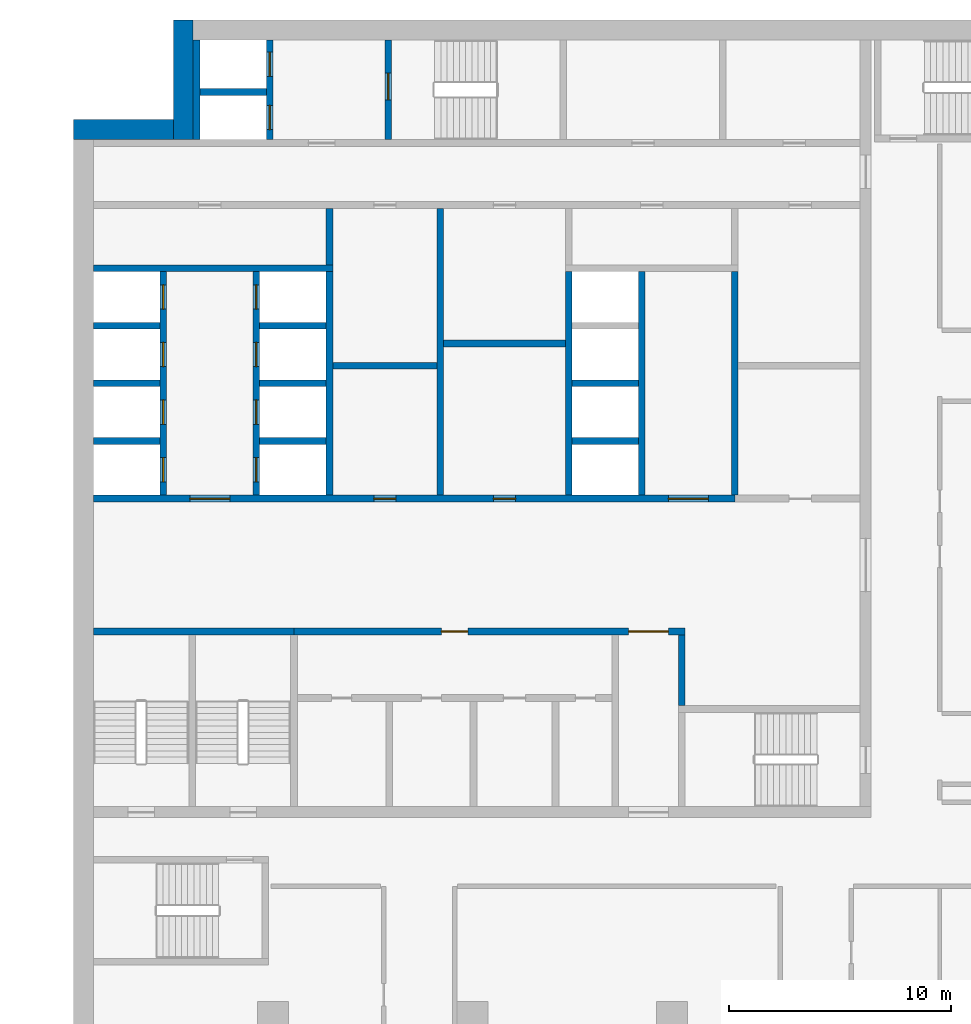
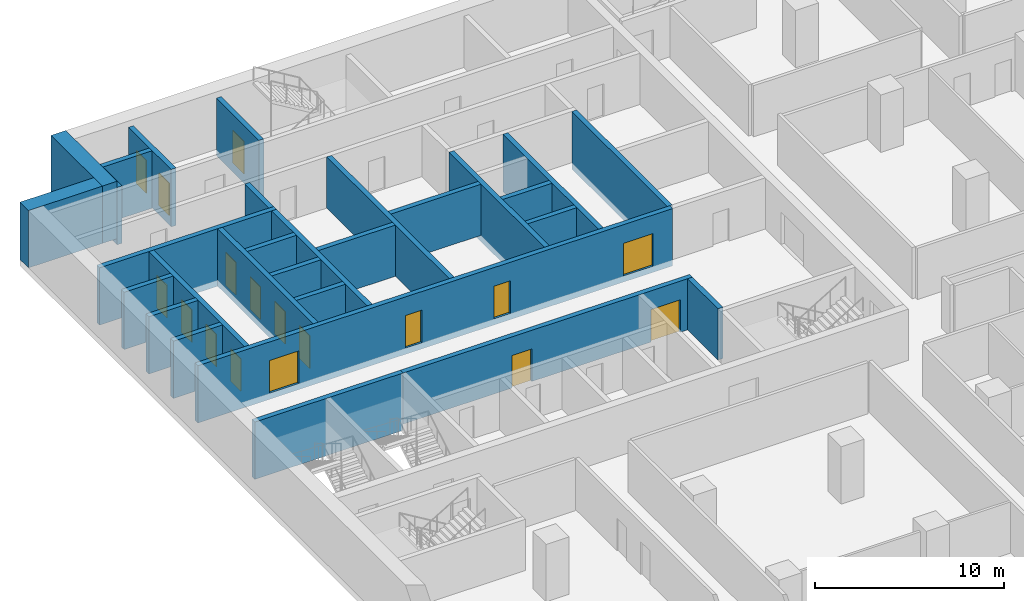
# One storey, part 14 of 28: 29 walls, 17 doors, 17 openings.
"""IFC4 building model written with IfcOpenShell, lengths in metres."""

import ifcopenshell
import ifcopenshell.guid

model = None  # the IFC model being written
_history = None  # IfcOwnerHistory: only IFC2X3 demands one
_inside = {}  # id of a spatial element -> (the spatial element, [elements in it])
_under = {}  # id of a project, library or spatial element -> (it, [spatial elements below it])
_declared = {}  # id of a project -> (the project, [libraries it declares])
_typed = {}  # id of a type object -> (the type object, [elements of that type])
_made_of = {}  # id of a material, layer set ... -> (it, [elements and type objects made of it])


def new_model(schema):
    """Start an empty IFC model of exactly this schema.

    Asked for "IFC4X3", IfcOpenShell would pick the latest addendum, in which some entities
    have other attributes; the version numbers below select the first issue.
    IFC2X3 requires an IfcOwnerHistory on every rooted entity: one is made here for all.
    """
    global model, _history
    if schema == "IFC4X3":
        model = ifcopenshell.file(schema_version=(4, 3, 0, 0))
    else:
        model = ifcopenshell.file(schema=schema)
    _inside.clear()
    _under.clear()
    _declared.clear()
    _typed.clear()
    _made_of.clear()
    _history = None
    if model.schema == "IFC2X3":
        org = make("IfcOrganization", Name="unknown")
        user = make(
            "IfcPersonAndOrganization",
            ThePerson=make("IfcPerson", FamilyName="unknown"),
            TheOrganization=org,
        )
        app = make(
            "IfcApplication",
            ApplicationDeveloper=org,
            Version="unknown",
            ApplicationFullName="unknown",
            ApplicationIdentifier="unknown",
        )
        _history = make(
            "IfcOwnerHistory",
            OwningUser=user,
            OwningApplication=app,
            ChangeAction="ADDED",
            CreationDate=0,
        )
    return model


def make(cls, **values):
    """One entity of the class cls with the attributes given. An attribute that is None is left unset."""
    return model.create_entity(
        cls, **{name: value for name, value in values.items() if value is not None}
    )


def rooted(cls, **values):
    """An entity with a GlobalId (a new one), such as an element, a storey or a relation."""
    return make(cls, GlobalId=ifcopenshell.guid.new(), OwnerHistory=_history, **values)


def si_unit(unit_type, name, prefix=None):
    """IfcSIUnit, for example si_unit("LENGTHUNIT", "METRE", prefix="MILLI")."""
    return make("IfcSIUnit", UnitType=unit_type, Prefix=prefix, Name=name)


def assignment(units):
    """IfcUnitAssignment: the units of a project."""
    return None if units is None else make("IfcUnitAssignment", Units=units)


def point(xyz):
    """IfcCartesianPoint."""
    return None if xyz is None else make("IfcCartesianPoint", Coordinates=xyz)


def direction(xyz):
    """IfcDirection."""
    return None if xyz is None else make("IfcDirection", DirectionRatios=xyz)


def frame(location, z_axis=None, x_axis=None):
    """IfcAxis2Placement3D, a coordinate frame: its origin and axes. An axis left out is left unset."""
    return make(
        "IfcAxis2Placement3D",
        Location=point(location),
        Axis=direction(z_axis),
        RefDirection=direction(x_axis),
    )


def frame_2d(location, x_axis=None):
    """IfcAxis2Placement2D, a coordinate frame in the plane: its origin and x axis."""
    return make(
        "IfcAxis2Placement2D", Location=point(location), RefDirection=direction(x_axis)
    )


def origin():
    """The frame at (0, 0, 0) with its axes left unset."""
    return frame((0.0, 0.0, 0.0))


def place(relative_to, where):
    """IfcLocalPlacement: puts the frame where relative to a parent placement (None: the world)."""
    return make(
        "IfcLocalPlacement", PlacementRelTo=relative_to, RelativePlacement=where
    )


def context(
    kind, dimensions, precision=None, world=None, true_north=None, identifier=None
):
    """IfcGeometricRepresentationContext, for example the 3D "Model" context."""
    return make(
        "IfcGeometricRepresentationContext",
        ContextIdentifier=identifier,
        ContextType=kind,
        CoordinateSpaceDimension=dimensions,
        Precision=precision,
        WorldCoordinateSystem=world,
        TrueNorth=true_north,
    )


def subcontext(parent, identifier, kind, view, scale=None):
    """IfcGeometricRepresentationSubContext, for example "Body" below "Model"."""
    return make(
        "IfcGeometricRepresentationSubContext",
        ContextIdentifier=identifier,
        ContextType=kind,
        ParentContext=parent,
        TargetScale=scale,
        TargetView=view,
    )


def project(units=None, contexts=None):
    """IfcProject with its units and contexts."""
    return rooted(
        "IfcProject",
        Name="project",
        RepresentationContexts=contexts,
        UnitsInContext=assignment(units),
    )


def spatial(cls, under=None, at=None, **own):
    """A site, building, storey or space (cls), placed at a placement, below another one or the project."""
    s = rooted(cls, ObjectPlacement=at, **own)
    if under is not None:
        _under.setdefault(under.id(), (under, []))[1].append(s)
    return s


def profile(cls, at=None, kind="AREA", **sizes):
    """A parametric profile (cls). Its sizes go by their IFC names, for example OverallWidth=200.0."""
    return make(cls, ProfileType=kind, Position=at, **sizes)


def rectangle(**sizes):
    """IfcRectangleProfileDef."""
    return profile("IfcRectangleProfileDef", **sizes)


def extrude(swept, where, along, depth):
    """IfcExtrudedAreaSolid: the profile swept, set in the frame where, extruded along a direction by depth."""
    return make(
        "IfcExtrudedAreaSolid",
        SweptArea=swept,
        Position=where,
        ExtrudedDirection=direction(along),
        Depth=depth,
    )


def shape(context_of_items, identifier, shape_type, items):
    """IfcShapeRepresentation: the items that make up one representation, for example the "Body"."""
    return make(
        "IfcShapeRepresentation",
        ContextOfItems=context_of_items,
        RepresentationIdentifier=identifier,
        RepresentationType=shape_type,
        Items=items,
    )


def material(Name=None, Category=None):
    """IfcMaterial."""
    return make("IfcMaterial", Name=Name, Category=Category)


def layer(
    of_material, thickness, ventilated=None, Name=None, Category=None, Priority=None
):
    """IfcMaterialLayer: one layer of a wall or slab, of a material (None: an air gap)."""
    return make(
        "IfcMaterialLayer",
        Material=of_material,
        LayerThickness=thickness,
        IsVentilated=ventilated,
        Name=Name,
        Category=Category,
        Priority=Priority,
    )


def layer_set(layers, Name=None):
    """IfcMaterialLayerSet."""
    return make("IfcMaterialLayerSet", MaterialLayers=layers, LayerSetName=Name)


def made_of(thing, what):
    """Note that an element or type object is made of a material, layer set ...; save() writes the relation."""
    if what is not None:
        _made_of.setdefault(what.id(), (what, []))[1].append(thing)
    return thing


def type_object(cls, material=None, **own):
    """A type object (cls), such as IfcWallType, which elements share."""
    return made_of(rooted(cls, **own), material)


def element(
    cls,
    number,
    at=None,
    inside=None,
    cuts=None,
    type_object=None,
    material=None,
    context=None,
    identifier="Body",
    shape_type=None,
    held_by="IfcProductDefinitionShape",
    body=None,
    shapes=None,
    **own,
):
    """One element of the class cls, such as IfcWall. Its Tag is "e" and its number.

    at: its placement. inside: the storey or other place that contains it. cuts: it is an
    opening in that element (IfcRelVoidsElement). A single representation is given by context,
    identifier, shape_type and body (its items); several are given by shapes. held_by: the class
    of the entity that holds the representations. save() writes the other relations.
    """
    e = rooted(cls, Tag="e%d" % number, ObjectPlacement=at, **own)
    if body is not None:
        shapes = [shape(context, identifier, shape_type, body)]
    if shapes is not None:
        e.Representation = make(held_by, Representations=shapes)
    if inside is not None:
        _inside.setdefault(inside.id(), (inside, []))[1].append(e)
    if cuts is not None:
        rooted(
            "IfcRelVoidsElement", RelatingBuildingElement=cuts, RelatedOpeningElement=e
        )
    if type_object is not None:
        _typed.setdefault(type_object.id(), (type_object, []))[1].append(e)
    return made_of(e, material)


def fill(opening, filler):
    """IfcRelFillsElement: the door or window that sits in an opening."""
    return rooted(
        "IfcRelFillsElement",
        RelatingOpeningElement=opening,
        RelatedBuildingElement=filler,
    )


def aggregate(whole, parts):
    """IfcRelAggregates: a whole, such as a stair, and the parts it consists of."""
    return rooted("IfcRelAggregates", RelatingObject=whole, RelatedObjects=parts)


def save(model, path):
    """Write the relations noted so far, then the file.

    IfcRelAggregates (storeys below a building ...), IfcRelContainedInSpatialStructure (elements
    in a storey), IfcRelDefinesByType, IfcRelAssociatesMaterial and IfcRelDeclares: one each for
    every whole, place, type object, material and project.
    """
    for whole, parts in _under.values():
        aggregate(whole, parts)
    for where, things in _inside.values():
        rooted(
            "IfcRelContainedInSpatialStructure",
            RelatedElements=things,
            RelatingStructure=where,
        )
    for kind, things in _typed.values():
        rooted("IfcRelDefinesByType", RelatedObjects=things, RelatingType=kind)
    for what, things in _made_of.values():
        rooted("IfcRelAssociatesMaterial", RelatedObjects=things, RelatingMaterial=what)
    for by, libraries in _declared.values():
        rooted("IfcRelDeclares", RelatingContext=by, RelatedDefinitions=libraries)
    model.write(path)


model = new_model("IFC4")

# Units and contexts
model_context = context("Model", 3, precision=1e-05, world=origin(), true_north=direction((0.0, 1.0)))
body_context = subcontext(model_context, "Body", "Model", "MODEL_VIEW")
ifc_project = project(units=[si_unit("LENGTHUNIT", "METRE"), si_unit("AREAUNIT", "SQUARE_METRE"), si_unit("VOLUMEUNIT", "CUBIC_METRE"), si_unit("PLANEANGLEUNIT", "RADIAN"), si_unit("MASSUNIT", "GRAM", prefix="KILO")], contexts=[model_context])

# Site, building, storey
site_placement = place(None, origin())
site = spatial("IfcSite", under=ifc_project, at=site_placement, CompositionType="ELEMENT")
building_placement = place(site_placement, origin())
building = spatial("IfcBuilding", under=site, at=building_placement, Name="Hunhe Ridgeline Campus", CompositionType="ELEMENT")
storey_placement = place(building_placement, frame((0.0, 0.0, 43.199951171875)))
storey = spatial("IfcBuildingStorey", under=building, at=storey_placement, Name="L09", CompositionType="ELEMENT", Elevation=43.199951171875)

# Wall, openings, doors
ifc_material_1 = material(Name="Masonry concrete blockwork", Category="masonry")
ifc_layer_1 = layer(ifc_material_1, 0.300048828125)
ifc_layer_set_1 = layer_set([ifc_layer_1], Name="Core room partition 300 concrete block")
wall_type_1 = type_object("IfcWallType", Name="Core room partition 300 concrete block", PredefinedType="PARTITIONING", material=ifc_layer_set_1)
wall_1_placement = place(storey_placement, frame((9.949951171875, 71.39990234375, 0.0), z_axis=(0.0, 0.0, 1.0), x_axis=(1.0, 0.0, 0.0)))
wall_1 = element("IfcWall", 1, at=wall_1_placement, inside=storey, type_object=wall_type_1, Name="L09 core partition 13", PredefinedType="PARTITIONING", context=body_context, shape_type="SweptSolid", body=[
    extrude(rectangle(XDim=17.650146484375, YDim=0.300048828125, at=frame_2d((8.8251953125, 0.0))), origin(), (0.0, 0.0, 1.0), 3.300048828125),
])
opening_1_placement = place(wall_1_placement, frame((15.10009765625, 0.0, 0.0)))
opening_1 = element("IfcOpeningElement", 2, at=opening_1_placement, cuts=wall_1, Name="Opening CD7", PredefinedType="OPENING", context=body_context, shape_type="SweptSolid", body=[
    extrude(rectangle(XDim=1.800048828125, YDim=2.10009765625, at=frame_2d((0.89990234375, 1.050048828125))), frame((0.0, 0.14990234375, 0.0), z_axis=(0.0, -1.0, 0.0), x_axis=(1.0, 0.0, 0.0)), (0.0, 0.0, 1.0), 0.300048828125),
])
opening_2_placement = place(wall_1_placement, frame((6.64990234375, 0.0, 0.0)))
opening_2 = element("IfcOpeningElement", 3, at=opening_2_placement, cuts=wall_1, Name="Opening CD37", PredefinedType="OPENING", context=body_context, shape_type="SweptSolid", body=[
    extrude(rectangle(XDim=1.199951171875, YDim=2.10009765625, at=frame_2d((0.60009765625, 1.050048828125))), frame((0.0, 0.14990234375, 0.0), z_axis=(0.0, -1.0, 0.0), x_axis=(1.0, 0.0, 0.0)), (0.0, 0.0, 1.0), 0.300048828125),
])
ifc_material_2 = material(Name="Anodised aluminium and glass", Category="aluminium")
door_type_1 = type_object("IfcDoorType", Name="Glazed double door 1800x2100", OperationType="DOUBLE_DOOR_SINGLE_SWING", PredefinedType="DOOR", material=ifc_material_2)
door_1_placement = place(opening_1_placement, origin())
door_1 = element("IfcDoor", 4, at=door_1_placement, inside=storey, type_object=door_type_1, Name="L09 door VEST-HALL", OperationType="DOUBLE_DOOR_SINGLE_SWING", OverallHeight=2.10009765625, OverallWidth=1.800048828125, PredefinedType="DOOR", context=body_context, shape_type="SweptSolid", body=[
    extrude(rectangle(XDim=1.800048828125, YDim=2.10009765625, at=frame_2d((0.89990234375, 1.050048828125))), frame((0.0, 0.02490234375, 0.0), z_axis=(0.0, -1.0, 0.0), x_axis=(1.0, 0.0, 0.0)), (0.0, 0.0, 1.0), 0.050048828125),
])
fill(opening_1, door_1)
ifc_material_3 = material(Name="Solid core timber door leaf", Category="wood")
door_type_2 = type_object("IfcDoorType", Name="Timber door 1200x2100", OperationType="SINGLE_SWING_LEFT", PredefinedType="DOOR", material=ifc_material_3)
door_2_placement = place(opening_2_placement, origin())
door_2 = element("IfcDoor", 5, at=door_2_placement, inside=storey, type_object=door_type_2, Name="L09 door WCL1-HALL", OperationType="SINGLE_SWING_LEFT", OverallHeight=2.10009765625, OverallWidth=1.199951171875, PredefinedType="DOOR", context=body_context, shape_type="SweptSolid", body=[
    extrude(rectangle(XDim=1.199951171875, YDim=2.10009765625, at=frame_2d((0.60009765625, 1.050048828125))), frame((0.0, 0.02490234375, 0.0), z_axis=(0.0, -1.0, 0.0), x_axis=(1.0, 0.0, 0.0)), (0.0, 0.0, 1.0), 0.050048828125),
])
fill(opening_2, door_2)

# Walls
wall_2_placement = place(storey_placement, frame((11.699951171875, 83.39990234375, 0.0), z_axis=(0.0, 0.0, 1.0), x_axis=(1.0, 0.0, 0.0)))
element("IfcWall", 6, at=wall_2_placement, inside=storey, type_object=wall_type_1, Name="L09 core partition 22", PredefinedType="PARTITIONING", context=body_context, shape_type="SweptSolid", body=[
    extrude(rectangle(XDim=4.699951171875, YDim=0.300048828125, at=frame_2d((2.35009765625, 0.0))), origin(), (0.0, 0.0, 1.0), 3.300048828125),
])
wall_3_placement = place(storey_placement, frame((16.699951171875, 84.39990234375, 0.0), z_axis=(0.0, 0.0, 1.0), x_axis=(1.0, 0.0, 0.0)))
element("IfcWall", 7, at=wall_3_placement, inside=storey, type_object=wall_type_1, Name="L09 core partition 24", PredefinedType="PARTITIONING", context=body_context, shape_type="SweptSolid", body=[
    extrude(rectangle(XDim=5.5, YDim=0.300048828125, at=frame_2d((2.75, 0.0))), origin(), (0.0, 0.0, 1.0), 3.300048828125),
])
wall_4_placement = place(storey_placement, frame((11.550048828125, 87.949951171875, 0.0), z_axis=(0.0, 0.0, 1.0), x_axis=(0.0, 1.0, 0.0)))
element("IfcWall", 8, at=wall_4_placement, inside=storey, type_object=wall_type_1, Name="L09 core partition 46", PredefinedType="PARTITIONING", context=body_context, shape_type="SweptSolid", body=[
    extrude(rectangle(XDim=2.550048828125, YDim=0.300048828125, at=frame_2d((1.27490234375, 0.0))), origin(), (0.0, 0.0, 1.0), 3.300048828125),
])
wall_5_placement = place(storey_placement, frame((16.550048828125, 77.550048828125, 0.0), z_axis=(0.0, 0.0, 1.0), x_axis=(0.0, 1.0, 0.0)))
element("IfcWall", 9, at=wall_5_placement, inside=storey, type_object=wall_type_1, Name="L09 core partition 49", PredefinedType="PARTITIONING", context=body_context, shape_type="SweptSolid", body=[
    extrude(rectangle(XDim=12.949951171875, YDim=0.300048828125, at=frame_2d((6.47509765625, 0.0))), origin(), (0.0, 0.0, 1.0), 3.300048828125),
])
wall_6_placement = place(storey_placement, frame((27.449951171875, 68.050048828125, 0.0), z_axis=(0.0, 0.0, 1.0), x_axis=(0.0, 1.0, 0.0)))
element("IfcWall", 10, at=wall_6_placement, inside=storey, type_object=wall_type_1, Name="L09 core partition 60", PredefinedType="PARTITIONING", context=body_context, shape_type="SweptSolid", body=[
    extrude(rectangle(XDim=3.199951171875, YDim=0.300048828125, at=frame_2d((1.60009765625, 0.0))), origin(), (0.0, 0.0, 1.0), 3.300048828125),
])
ifc_material_4 = material(Name="Concrete C80", Category="concrete")
ifc_layer_2 = layer(ifc_material_4, 0.300048828125)
ifc_layer_set_2 = layer_set([ifc_layer_2], Name="Lobby wall 300 reinforced concrete C80")
wall_type_2 = type_object("IfcWallType", Name="Lobby wall 300 reinforced concrete C80", PredefinedType="SOLIDWALL", material=ifc_layer_set_2)
wall_7_placement = place(storey_placement, frame((29.85009765625, 77.550048828125, -0.39990234375), z_axis=(0.0, 0.0, 1.0), x_axis=(0.0, 1.0, 0.0)))
element("IfcWall", 11, at=wall_7_placement, inside=storey, type_object=wall_type_2, Name="L09 core wall 62", PredefinedType="SOLIDWALL", context=body_context, shape_type="SweptSolid", body=[
    extrude(rectangle(XDim=10.099853515625, YDim=0.300048828125, at=frame_2d((5.0498046875, 0.0))), origin(), (0.0, 0.0, 1.0), 3.699951171875),
])

# Wall, openings, doors
ifc_layer_3 = layer(ifc_material_4, 0.300048828125)
ifc_layer_set_3 = layer_set([ifc_layer_3], Name="Shaft wall 300 reinforced concrete C80")
wall_type_3 = type_object("IfcWallType", Name="Shaft wall 300 reinforced concrete C80", PredefinedType="SOLIDWALL", material=ifc_layer_set_3)
wall_8_placement = place(storey_placement, frame((0.89990234375, 77.39990234375, -0.39990234375), z_axis=(0.0, 0.0, 1.0), x_axis=(1.0, 0.0, 0.0)))
wall_8 = element("IfcWall", 12, at=wall_8_placement, inside=storey, type_object=wall_type_3, Name="L09 core wall 14", PredefinedType="SOLIDWALL", context=body_context, shape_type="SweptSolid", body=[
    extrude(rectangle(XDim=28.9501953125, YDim=0.300048828125, at=frame_2d((14.47509765625, 0.0))), origin(), (0.0, 0.0, 1.0), 3.699951171875),
])
opening_3_placement = place(wall_8_placement, frame((4.35009765625, 0.0, 0.39990234375)))
opening_3 = element("IfcOpeningElement", 13, at=opening_3_placement, cuts=wall_8, Name="Opening CD1", PredefinedType="OPENING", context=body_context, shape_type="SweptSolid", body=[
    extrude(rectangle(XDim=1.800048828125, YDim=2.10009765625, at=frame_2d((0.89990234375, 1.050048828125))), frame((0.0, 0.14990234375, 0.0), z_axis=(0.0, -1.0, 0.0), x_axis=(1.0, 0.0, 0.0)), (0.0, 0.0, 1.0), 0.300048828125),
])
opening_4_placement = place(wall_8_placement, frame((25.949951171875, 0.0, 0.39990234375)))
opening_4 = element("IfcOpeningElement", 14, at=opening_4_placement, cuts=wall_8, Name="Opening CD2", PredefinedType="OPENING", context=body_context, shape_type="SweptSolid", body=[
    extrude(rectangle(XDim=1.800048828125, YDim=2.10009765625, at=frame_2d((0.89990234375, 1.050048828125))), frame((0.0, 0.14990234375, 0.0), z_axis=(0.0, -1.0, 0.0), x_axis=(1.0, 0.0, 0.0)), (0.0, 0.0, 1.0), 0.300048828125),
])
opening_5_placement = place(wall_8_placement, frame((12.64990234375, 0.0, 0.39990234375)))
opening_5 = element("IfcOpeningElement", 15, at=opening_5_placement, cuts=wall_8, Name="Opening CD28", PredefinedType="OPENING", context=body_context, shape_type="SweptSolid", body=[
    extrude(rectangle(XDim=1.0, YDim=2.10009765625, at=frame_2d((0.5, 1.050048828125))), frame((0.0, 0.14990234375, 0.0), z_axis=(0.0, -1.0, 0.0), x_axis=(1.0, 0.0, 0.0)), (0.0, 0.0, 1.0), 0.300048828125),
])
opening_6_placement = place(wall_8_placement, frame((18.050048828125, 0.0, 0.39990234375)))
opening_6 = element("IfcOpeningElement", 16, at=opening_6_placement, cuts=wall_8, Name="Opening CD30", PredefinedType="OPENING", context=body_context, shape_type="SweptSolid", body=[
    extrude(rectangle(XDim=1.0, YDim=2.10009765625, at=frame_2d((0.5, 1.050048828125))), frame((0.0, 0.14990234375, 0.0), z_axis=(0.0, -1.0, 0.0), x_axis=(1.0, 0.0, 0.0)), (0.0, 0.0, 1.0), 0.300048828125),
])
ifc_material_5 = material(Name="Hollow metal fire door leaf")
door_type_3 = type_object("IfcDoorType", Name="Lobby door 1800x2100 FD60", OperationType="SINGLE_SWING_LEFT", PredefinedType="DOOR", material=ifc_material_5)
door_3_placement = place(opening_3_placement, frame((1.800048828125, 0.0, 0.0), z_axis=(0.0, 0.0, 1.0), x_axis=(-1.0, 0.0, 0.0)))
door_3 = element("IfcDoor", 17, at=door_3_placement, inside=storey, type_object=door_type_3, Name="L09 door LOB-LR", OperationType="SINGLE_SWING_RIGHT", OverallHeight=2.10009765625, OverallWidth=1.800048828125, PredefinedType="DOOR", context=body_context, shape_type="SweptSolid", body=[
    extrude(rectangle(XDim=1.800048828125, YDim=2.10009765625, at=frame_2d((0.89990234375, 1.050048828125))), frame((0.0, 0.02490234375, 0.0), z_axis=(0.0, -1.0, 0.0), x_axis=(1.0, 0.0, 0.0)), (0.0, 0.0, 1.0), 0.050048828125),
])
fill(opening_3, door_3)
door_4_placement = place(opening_4_placement, frame((1.800048828125, 0.0, 0.0), z_axis=(0.0, 0.0, 1.0), x_axis=(-1.0, 0.0, 0.0)))
door_4 = element("IfcDoor", 18, at=door_4_placement, inside=storey, type_object=door_type_3, Name="L09 door LOB-SH", OperationType="SINGLE_SWING_LEFT", OverallHeight=2.10009765625, OverallWidth=1.800048828125, PredefinedType="DOOR", context=body_context, shape_type="SweptSolid", body=[
    extrude(rectangle(XDim=1.800048828125, YDim=2.10009765625, at=frame_2d((0.89990234375, 1.050048828125))), frame((0.0, 0.02490234375, 0.0), z_axis=(0.0, -1.0, 0.0), x_axis=(1.0, 0.0, 0.0)), (0.0, 0.0, 1.0), 0.050048828125),
])
fill(opening_4, door_4)
door_type_4 = type_object("IfcDoorType", Name="Timber door 1000x2100", OperationType="SINGLE_SWING_LEFT", PredefinedType="DOOR", material=ifc_material_3)
door_5_placement = place(opening_5_placement, origin())
door_5 = element("IfcDoor", 19, at=door_5_placement, inside=storey, type_object=door_type_4, Name="L09 door VD-HR0", OperationType="SINGLE_SWING_LEFT", OverallHeight=2.10009765625, OverallWidth=1.0, PredefinedType="DOOR", context=body_context, shape_type="SweptSolid", body=[
    extrude(rectangle(XDim=1.0, YDim=2.10009765625, at=frame_2d((0.5, 1.050048828125))), frame((0.0, 0.02490234375, 0.0), z_axis=(0.0, -1.0, 0.0), x_axis=(1.0, 0.0, 0.0)), (0.0, 0.0, 1.0), 0.050048828125),
])
fill(opening_5, door_5)
door_6_placement = place(opening_6_placement, origin())
door_6 = element("IfcDoor", 20, at=door_6_placement, inside=storey, type_object=door_type_4, Name="L09 door VD-HR2", OperationType="SINGLE_SWING_LEFT", OverallHeight=2.10009765625, OverallWidth=1.0, PredefinedType="DOOR", context=body_context, shape_type="SweptSolid", body=[
    extrude(rectangle(XDim=1.0, YDim=2.10009765625, at=frame_2d((0.5, 1.050048828125))), frame((0.0, 0.02490234375, 0.0), z_axis=(0.0, -1.0, 0.0), x_axis=(1.0, 0.0, 0.0)), (0.0, 0.0, 1.0), 0.050048828125),
])
fill(opening_6, door_6)

# Walls
for number, where, z_axis, x_axis, name in (
    (21, (0.89990234375, 80.0, -0.39990234375), (0.0, 0.0, 1.0), (1.0, 0.0, 0.0), "L09 core wall 16"),
    (22, (8.39990234375, 80.0, -0.39990234375), (0.0, 0.0, 1.0), (1.0, 0.0, 0.0), "L09 core wall 17"),
    (23, (22.5, 80.0, -0.39990234375), (0.0, 0.0, 1.0), (1.0, 0.0, 0.0), "L09 core wall 18"),
    (24, (0.89990234375, 82.60009765625, -0.39990234375), (0.0, 0.0, 1.0), (1.0, 0.0, 0.0), "L09 core wall 19"),
    (25, (8.39990234375, 82.60009765625, -0.39990234375), (0.0, 0.0, 1.0), (1.0, 0.0, 0.0), "L09 core wall 20"),
    (26, (22.5, 82.60009765625, -0.39990234375), (0.0, 0.0, 1.0), (1.0, 0.0, 0.0), "L09 core wall 21"),
    (27, (0.89990234375, 85.199951171875, -0.39990234375), (0.0, 0.0, 1.0), (1.0, 0.0, 0.0), "L09 core wall 25"),
    (28, (8.39990234375, 85.199951171875, -0.39990234375), (0.0, 0.0, 1.0), (1.0, 0.0, 0.0), "L09 core wall 26"),
):
    element("IfcWall", number, at=place(storey_placement, frame(where, z_axis=z_axis, x_axis=x_axis)), inside=storey, type_object=wall_type_3, Name=name, PredefinedType="SOLIDWALL", context=body_context, shape_type="SweptSolid", body=[
        extrude(rectangle(XDim=3.0, YDim=0.300048828125, at=frame_2d((1.5, 0.0))), origin(), (0.0, 0.0, 1.0), 3.699951171875),
    ])
wall_9_placement = place(storey_placement, frame((0.89990234375, 87.800048828125, -0.39990234375), z_axis=(0.0, 0.0, 1.0), x_axis=(1.0, 0.0, 0.0)))
element("IfcWall", 29, at=wall_9_placement, inside=storey, type_object=wall_type_3, Name="L09 core wall 28", PredefinedType="SOLIDWALL", context=body_context, shape_type="SweptSolid", body=[
    extrude(rectangle(XDim=10.800048828125, YDim=0.300048828125, at=frame_2d((5.39990234375, 0.0))), origin(), (0.0, 0.0, 1.0), 3.699951171875),
])
wall_10_placement = place(storey_placement, frame((5.699951171875, 95.75, -0.39990234375), z_axis=(0.0, 0.0, 1.0), x_axis=(1.0, 0.0, 0.0)))
element("IfcWall", 30, at=wall_10_placement, inside=storey, type_object=wall_type_3, Name="L09 core wall 36", PredefinedType="SOLIDWALL", context=body_context, shape_type="SweptSolid", body=[
    extrude(rectangle(XDim=3.0, YDim=0.300048828125, at=frame_2d((1.5, 0.0))), origin(), (0.0, 0.0, 1.0), 3.699951171875),
])

# Wall, openings, doors
wall_11_placement = place(storey_placement, frame((4.050048828125, 77.550048828125, -0.39990234375), z_axis=(0.0, 0.0, 1.0), x_axis=(0.0, 1.0, 0.0)))
wall_11 = element("IfcWall", 31, at=wall_11_placement, inside=storey, type_object=wall_type_3, Name="L09 core wall 37", PredefinedType="SOLIDWALL", context=body_context, shape_type="SweptSolid", body=[
    extrude(rectangle(XDim=10.099853515625, YDim=0.300048828125, at=frame_2d((5.0498046875, 0.0))), origin(), (0.0, 0.0, 1.0), 3.699951171875),
])
opening_7_placement = place(wall_11_placement, frame((0.60009765625, 0.0, 0.39990234375)))
opening_7 = element("IfcOpeningElement", 32, at=opening_7_placement, cuts=wall_11, Name="Opening LD-LR1", PredefinedType="OPENING", context=body_context, shape_type="SweptSolid", body=[
    extrude(rectangle(XDim=1.10009765625, YDim=2.10009765625, at=frame_2d((0.550048828125, 1.050048828125))), frame((0.0, 0.14990234375, 0.0), z_axis=(0.0, -1.0, 0.0), x_axis=(1.0, 0.0, 0.0)), (0.0, 0.0, 1.0), 0.300048828125),
])
opening_8_placement = place(wall_11_placement, frame((3.199951171875, 0.0, 0.39990234375)))
opening_8 = element("IfcOpeningElement", 33, at=opening_8_placement, cuts=wall_11, Name="Opening LD-LR2", PredefinedType="OPENING", context=body_context, shape_type="SweptSolid", body=[
    extrude(rectangle(XDim=1.10009765625, YDim=2.10009765625, at=frame_2d((0.550048828125, 1.050048828125))), frame((0.0, 0.14990234375, 0.0), z_axis=(0.0, -1.0, 0.0), x_axis=(1.0, 0.0, 0.0)), (0.0, 0.0, 1.0), 0.300048828125),
])
opening_9_placement = place(wall_11_placement, frame((5.800048828125, 0.0, 0.39990234375)))
opening_9 = element("IfcOpeningElement", 34, at=opening_9_placement, cuts=wall_11, Name="Opening LD-LR3", PredefinedType="OPENING", context=body_context, shape_type="SweptSolid", body=[
    extrude(rectangle(XDim=1.10009765625, YDim=2.10009765625, at=frame_2d((0.550048828125, 1.050048828125))), frame((0.0, 0.14990234375, 0.0), z_axis=(0.0, -1.0, 0.0), x_axis=(1.0, 0.0, 0.0)), (0.0, 0.0, 1.0), 0.300048828125),
])
opening_10_placement = place(wall_11_placement, frame((8.39990234375, 0.0, 0.39990234375)))
opening_10 = element("IfcOpeningElement", 35, at=opening_10_placement, cuts=wall_11, Name="Opening LD-LR4", PredefinedType="OPENING", context=body_context, shape_type="SweptSolid", body=[
    extrude(rectangle(XDim=1.10009765625, YDim=2.10009765625, at=frame_2d((0.550048828125, 1.050048828125))), frame((0.0, 0.14990234375, 0.0), z_axis=(0.0, -1.0, 0.0), x_axis=(1.0, 0.0, 0.0)), (0.0, 0.0, 1.0), 0.300048828125),
])
ifc_material_6 = material(Name="Stainless steel sliding leaves", Category="steel")
door_type_5 = type_object("IfcDoorType", Name="Landing door 1100x2100 FD120", OperationType="SLIDING_TO_LEFT", PredefinedType="DOOR", material=ifc_material_6)
door_7_placement = place(opening_7_placement, origin())
door_7 = element("IfcDoor", 36, at=door_7_placement, inside=storey, type_object=door_type_5, Name="L09 landing door LR1", OperationType="SLIDING_TO_RIGHT", OverallHeight=2.10009765625, OverallWidth=1.10009765625, PredefinedType="DOOR", context=body_context, shape_type="SweptSolid", body=[
    extrude(rectangle(XDim=1.10009765625, YDim=2.10009765625, at=frame_2d((0.550048828125, 1.050048828125))), frame((0.0, 0.02490234375, 0.0), z_axis=(0.0, -1.0, 0.0), x_axis=(1.0, 0.0, 0.0)), (0.0, 0.0, 1.0), 0.050048828125),
])
fill(opening_7, door_7)
door_8_placement = place(opening_8_placement, origin())
door_8 = element("IfcDoor", 37, at=door_8_placement, inside=storey, type_object=door_type_5, Name="L09 landing door LR2", OperationType="SLIDING_TO_LEFT", OverallHeight=2.10009765625, OverallWidth=1.10009765625, PredefinedType="DOOR", context=body_context, shape_type="SweptSolid", body=[
    extrude(rectangle(XDim=1.10009765625, YDim=2.10009765625, at=frame_2d((0.550048828125, 1.050048828125))), frame((0.0, 0.02490234375, 0.0), z_axis=(0.0, -1.0, 0.0), x_axis=(1.0, 0.0, 0.0)), (0.0, 0.0, 1.0), 0.050048828125),
])
fill(opening_8, door_8)
door_9_placement = place(opening_9_placement, origin())
door_9 = element("IfcDoor", 38, at=door_9_placement, inside=storey, type_object=door_type_5, Name="L09 landing door LR3", OperationType="SLIDING_TO_RIGHT", OverallHeight=2.10009765625, OverallWidth=1.10009765625, PredefinedType="DOOR", context=body_context, shape_type="SweptSolid", body=[
    extrude(rectangle(XDim=1.10009765625, YDim=2.10009765625, at=frame_2d((0.550048828125, 1.050048828125))), frame((0.0, 0.02490234375, 0.0), z_axis=(0.0, -1.0, 0.0), x_axis=(1.0, 0.0, 0.0)), (0.0, 0.0, 1.0), 0.050048828125),
])
fill(opening_9, door_9)
door_10_placement = place(opening_10_placement, origin())
door_10 = element("IfcDoor", 39, at=door_10_placement, inside=storey, type_object=door_type_5, Name="L09 landing door LR4", OperationType="SLIDING_TO_LEFT", OverallHeight=2.10009765625, OverallWidth=1.10009765625, PredefinedType="DOOR", context=body_context, shape_type="SweptSolid", body=[
    extrude(rectangle(XDim=1.10009765625, YDim=2.10009765625, at=frame_2d((0.550048828125, 1.050048828125))), frame((0.0, 0.02490234375, 0.0), z_axis=(0.0, -1.0, 0.0), x_axis=(1.0, 0.0, 0.0)), (0.0, 0.0, 1.0), 0.050048828125),
])
fill(opening_10, door_10)

# Wall
wall_12_placement = place(storey_placement, frame((5.550048828125, 93.60009765625, -0.39990234375), z_axis=(0.0, 0.0, 1.0), x_axis=(0.0, 1.0, 0.0)))
element("IfcWall", 40, at=wall_12_placement, inside=storey, type_object=wall_type_3, Name="L09 core wall 39", PredefinedType="SOLIDWALL", context=body_context, shape_type="SweptSolid", body=[
    extrude(rectangle(XDim=4.5, YDim=0.300048828125, at=frame_2d((2.25, 0.0))), origin(), (0.0, 0.0, 1.0), 3.699951171875),
])

# Wall, openings, doors
wall_13_placement = place(storey_placement, frame((8.25, 77.550048828125, -0.39990234375), z_axis=(0.0, 0.0, 1.0), x_axis=(0.0, 1.0, 0.0)))
wall_13 = element("IfcWall", 41, at=wall_13_placement, inside=storey, type_object=wall_type_3, Name="L09 core wall 40", PredefinedType="SOLIDWALL", context=body_context, shape_type="SweptSolid", body=[
    extrude(rectangle(XDim=10.099853515625, YDim=0.300048828125, at=frame_2d((5.0498046875, 0.0))), origin(), (0.0, 0.0, 1.0), 3.699951171875),
])
opening_11_placement = place(wall_13_placement, frame((0.60009765625, 0.0, 0.39990234375)))
opening_11 = element("IfcOpeningElement", 42, at=opening_11_placement, cuts=wall_13, Name="Opening LD-LR5", PredefinedType="OPENING", context=body_context, shape_type="SweptSolid", body=[
    extrude(rectangle(XDim=1.10009765625, YDim=2.10009765625, at=frame_2d((0.550048828125, 1.050048828125))), frame((0.0, 0.14990234375, 0.0), z_axis=(0.0, -1.0, 0.0), x_axis=(1.0, 0.0, 0.0)), (0.0, 0.0, 1.0), 0.300048828125),
])
opening_12_placement = place(wall_13_placement, frame((3.199951171875, 0.0, 0.39990234375)))
opening_12 = element("IfcOpeningElement", 43, at=opening_12_placement, cuts=wall_13, Name="Opening LD-LR6", PredefinedType="OPENING", context=body_context, shape_type="SweptSolid", body=[
    extrude(rectangle(XDim=1.10009765625, YDim=2.10009765625, at=frame_2d((0.550048828125, 1.050048828125))), frame((0.0, 0.14990234375, 0.0), z_axis=(0.0, -1.0, 0.0), x_axis=(1.0, 0.0, 0.0)), (0.0, 0.0, 1.0), 0.300048828125),
])
opening_13_placement = place(wall_13_placement, frame((5.800048828125, 0.0, 0.39990234375)))
opening_13 = element("IfcOpeningElement", 44, at=opening_13_placement, cuts=wall_13, Name="Opening LD-LR7", PredefinedType="OPENING", context=body_context, shape_type="SweptSolid", body=[
    extrude(rectangle(XDim=1.10009765625, YDim=2.10009765625, at=frame_2d((0.550048828125, 1.050048828125))), frame((0.0, 0.14990234375, 0.0), z_axis=(0.0, -1.0, 0.0), x_axis=(1.0, 0.0, 0.0)), (0.0, 0.0, 1.0), 0.300048828125),
])
opening_14_placement = place(wall_13_placement, frame((8.39990234375, 0.0, 0.39990234375)))
opening_14 = element("IfcOpeningElement", 45, at=opening_14_placement, cuts=wall_13, Name="Opening LD-LR8", PredefinedType="OPENING", context=body_context, shape_type="SweptSolid", body=[
    extrude(rectangle(XDim=1.10009765625, YDim=2.10009765625, at=frame_2d((0.550048828125, 1.050048828125))), frame((0.0, 0.14990234375, 0.0), z_axis=(0.0, -1.0, 0.0), x_axis=(1.0, 0.0, 0.0)), (0.0, 0.0, 1.0), 0.300048828125),
])
door_11_placement = place(opening_11_placement, origin())
door_11 = element("IfcDoor", 46, at=door_11_placement, inside=storey, type_object=door_type_5, Name="L09 landing door LR5", OperationType="SLIDING_TO_RIGHT", OverallHeight=2.10009765625, OverallWidth=1.10009765625, PredefinedType="DOOR", context=body_context, shape_type="SweptSolid", body=[
    extrude(rectangle(XDim=1.10009765625, YDim=2.10009765625, at=frame_2d((0.550048828125, 1.050048828125))), frame((0.0, 0.02490234375, 0.0), z_axis=(0.0, -1.0, 0.0), x_axis=(1.0, 0.0, 0.0)), (0.0, 0.0, 1.0), 0.050048828125),
])
fill(opening_11, door_11)
door_12_placement = place(opening_12_placement, origin())
door_12 = element("IfcDoor", 47, at=door_12_placement, inside=storey, type_object=door_type_5, Name="L09 landing door LR6", OperationType="SLIDING_TO_LEFT", OverallHeight=2.10009765625, OverallWidth=1.10009765625, PredefinedType="DOOR", context=body_context, shape_type="SweptSolid", body=[
    extrude(rectangle(XDim=1.10009765625, YDim=2.10009765625, at=frame_2d((0.550048828125, 1.050048828125))), frame((0.0, 0.02490234375, 0.0), z_axis=(0.0, -1.0, 0.0), x_axis=(1.0, 0.0, 0.0)), (0.0, 0.0, 1.0), 0.050048828125),
])
fill(opening_12, door_12)
door_13_placement = place(opening_13_placement, origin())
door_13 = element("IfcDoor", 48, at=door_13_placement, inside=storey, type_object=door_type_5, Name="L09 landing door LR7", OperationType="SLIDING_TO_RIGHT", OverallHeight=2.10009765625, OverallWidth=1.10009765625, PredefinedType="DOOR", context=body_context, shape_type="SweptSolid", body=[
    extrude(rectangle(XDim=1.10009765625, YDim=2.10009765625, at=frame_2d((0.550048828125, 1.050048828125))), frame((0.0, 0.02490234375, 0.0), z_axis=(0.0, -1.0, 0.0), x_axis=(1.0, 0.0, 0.0)), (0.0, 0.0, 1.0), 0.050048828125),
])
fill(opening_13, door_13)
door_14_placement = place(opening_14_placement, origin())
door_14 = element("IfcDoor", 49, at=door_14_placement, inside=storey, type_object=door_type_5, Name="L09 landing door LR8", OperationType="SLIDING_TO_LEFT", OverallHeight=2.10009765625, OverallWidth=1.10009765625, PredefinedType="DOOR", context=body_context, shape_type="SweptSolid", body=[
    extrude(rectangle(XDim=1.10009765625, YDim=2.10009765625, at=frame_2d((0.550048828125, 1.050048828125))), frame((0.0, 0.02490234375, 0.0), z_axis=(0.0, -1.0, 0.0), x_axis=(1.0, 0.0, 0.0)), (0.0, 0.0, 1.0), 0.050048828125),
])
fill(opening_14, door_14)

wall_14_placement = place(storey_placement, frame((8.85009765625, 93.60009765625, -0.39990234375), z_axis=(0.0, 0.0, 1.0), x_axis=(0.0, 1.0, 0.0)))
wall_14 = element("IfcWall", 50, at=wall_14_placement, inside=storey, type_object=wall_type_3, Name="L09 core wall 43", PredefinedType="SOLIDWALL", context=body_context, shape_type="SweptSolid", body=[
    extrude(rectangle(XDim=4.5, YDim=0.300048828125, at=frame_2d((2.25, 0.0))), origin(), (0.0, 0.0, 1.0), 3.699951171875),
])
opening_15_placement = place(wall_14_placement, frame((0.449951171875, 0.0, 0.39990234375)))
opening_15 = element("IfcOpeningElement", 51, at=opening_15_placement, cuts=wall_14, Name="Opening LD-FF1", PredefinedType="OPENING", context=body_context, shape_type="SweptSolid", body=[
    extrude(rectangle(XDim=1.10009765625, YDim=2.10009765625, at=frame_2d((0.550048828125, 1.050048828125))), frame((0.0, 0.14990234375, 0.0), z_axis=(0.0, -1.0, 0.0), x_axis=(1.0, 0.0, 0.0)), (0.0, 0.0, 1.0), 0.300048828125),
])
opening_16_placement = place(wall_14_placement, frame((2.85009765625, 0.0, 0.39990234375)))
opening_16 = element("IfcOpeningElement", 52, at=opening_16_placement, cuts=wall_14, Name="Opening LD-FF2", PredefinedType="OPENING", context=body_context, shape_type="SweptSolid", body=[
    extrude(rectangle(XDim=1.10009765625, YDim=2.10009765625, at=frame_2d((0.550048828125, 1.050048828125))), frame((0.0, 0.14990234375, 0.0), z_axis=(0.0, -1.0, 0.0), x_axis=(1.0, 0.0, 0.0)), (0.0, 0.0, 1.0), 0.300048828125),
])
door_15_placement = place(opening_15_placement, origin())
door_15 = element("IfcDoor", 53, at=door_15_placement, inside=storey, type_object=door_type_5, Name="L09 landing door FF1", OperationType="SLIDING_TO_RIGHT", OverallHeight=2.10009765625, OverallWidth=1.10009765625, PredefinedType="DOOR", context=body_context, shape_type="SweptSolid", body=[
    extrude(rectangle(XDim=1.10009765625, YDim=2.10009765625, at=frame_2d((0.550048828125, 1.050048828125))), frame((0.0, 0.02490234375, 0.0), z_axis=(0.0, -1.0, 0.0), x_axis=(1.0, 0.0, 0.0)), (0.0, 0.0, 1.0), 0.050048828125),
])
fill(opening_15, door_15)
door_16_placement = place(opening_16_placement, origin())
door_16 = element("IfcDoor", 54, at=door_16_placement, inside=storey, type_object=door_type_5, Name="L09 landing door FF2", OperationType="SLIDING_TO_LEFT", OverallHeight=2.10009765625, OverallWidth=1.10009765625, PredefinedType="DOOR", context=body_context, shape_type="SweptSolid", body=[
    extrude(rectangle(XDim=1.10009765625, YDim=2.10009765625, at=frame_2d((0.550048828125, 1.050048828125))), frame((0.0, 0.02490234375, 0.0), z_axis=(0.0, -1.0, 0.0), x_axis=(1.0, 0.0, 0.0)), (0.0, 0.0, 1.0), 0.050048828125),
])
fill(opening_16, door_16)

# Walls
for number, where, z_axis, x_axis, name in (
    (55, (11.550048828125, 77.550048828125, -0.39990234375), (0.0, 0.0, 1.0), (0.0, 1.0, 0.0), "L09 core wall 45"),
    (56, (22.35009765625, 77.550048828125, -0.39990234375), (0.0, 0.0, 1.0), (0.0, 1.0, 0.0), "L09 core wall 54"),
    (57, (25.64990234375, 77.550048828125, -0.39990234375), (0.0, 0.0, 1.0), (0.0, 1.0, 0.0), "L09 core wall 58"),
):
    element("IfcWall", number, at=place(storey_placement, frame(where, z_axis=z_axis, x_axis=x_axis)), inside=storey, type_object=wall_type_3, Name=name, PredefinedType="SOLIDWALL", context=body_context, shape_type="SweptSolid", body=[
        extrude(rectangle(XDim=10.099853515625, YDim=0.300048828125, at=frame_2d((5.0498046875, 0.0))), origin(), (0.0, 0.0, 1.0), 3.699951171875),
    ])
ifc_layer_4 = layer(ifc_material_4, 0.89990234375)
ifc_layer_set_4 = layer_set([ifc_layer_4], Name="Spine wall 900 Concrete C80")
wall_type_4 = type_object("IfcWallType", Name="Spine wall 900 Concrete C80", PredefinedType="SHEAR", material=ifc_layer_set_4)
for number, where, z_axis, x_axis, name in (
    (58, (4.949951171875, 99.0, 0.0), (0.0, 0.0, 1.0), (0.0, -1.0, 0.0), "Spine wall SW1-5 L09"),
    (59, (5.400146484375, 94.050048828125, 0.0), (0.0, 0.0, 1.0), (-1.0, 0.0, 0.0), "Spine wall SW1-6 L09"),
):
    element("IfcWall", number, at=place(storey_placement, frame(where, z_axis=z_axis, x_axis=x_axis)), inside=storey, type_object=wall_type_4, Name=name, PredefinedType="SHEAR", context=body_context, shape_type="SweptSolid", body=[
        extrude(rectangle(XDim=5.400146484375, YDim=0.89990234375, at=frame_2d((2.7001953125, 0.0))), origin(), (0.0, 0.0, 1.0), 3.699951171875),
    ])
ifc_layer_5 = layer(ifc_material_4, 0.300048828125)
ifc_layer_set_5 = layer_set([ifc_layer_5], Name="Stair wall 300 reinforced concrete C80")
wall_type_5 = type_object("IfcWallType", Name="Stair wall 300 reinforced concrete C80", PredefinedType="SOLIDWALL", material=ifc_layer_set_5)
wall_15_placement = place(storey_placement, frame((0.89990234375, 71.39990234375, -0.39990234375), z_axis=(0.0, 0.0, 1.0), x_axis=(1.0, 0.0, 0.0)))
element("IfcWall", 60, at=wall_15_placement, inside=storey, type_object=wall_type_5, Name="L09 core wall 12", PredefinedType="SOLIDWALL", context=body_context, shape_type="SweptSolid", body=[
    extrude(rectangle(XDim=9.050048828125, YDim=0.300048828125, at=frame_2d((4.52490234375, 0.0))), origin(), (0.0, 0.0, 1.0), 3.699951171875),
])

# Wall, opening, door
wall_16_placement = place(storey_placement, frame((14.199951171875, 93.60009765625, -0.39990234375), z_axis=(0.0, 0.0, 1.0), x_axis=(0.0, 1.0, 0.0)))
wall_16 = element("IfcWall", 61, at=wall_16_placement, inside=storey, type_object=wall_type_5, Name="L09 core wall 47", PredefinedType="SOLIDWALL", context=body_context, shape_type="SweptSolid", body=[
    extrude(rectangle(XDim=4.5, YDim=0.300048828125, at=frame_2d((2.25, 0.0))), origin(), (0.0, 0.0, 1.0), 3.699951171875),
])
opening_17_placement = place(wall_16_placement, frame((1.800048828125, 0.0, 0.39990234375)))
opening_17 = element("IfcOpeningElement", 62, at=opening_17_placement, cuts=wall_16, Name="Opening CD16", PredefinedType="OPENING", context=body_context, shape_type="SweptSolid", body=[
    extrude(rectangle(XDim=1.199951171875, YDim=2.10009765625, at=frame_2d((0.60009765625, 1.050048828125))), frame((0.0, 0.14990234375, 0.0), z_axis=(0.0, -1.0, 0.0), x_axis=(1.0, 0.0, 0.0)), (0.0, 0.0, 1.0), 0.300048828125),
])
door_type_6 = type_object("IfcDoorType", Name="Stair door 1200x2100 FD60", OperationType="SINGLE_SWING_LEFT", PredefinedType="DOOR", material=ifc_material_5)
door_17_placement = place(opening_17_placement, origin())
door_17 = element("IfcDoor", 63, at=door_17_placement, inside=storey, type_object=door_type_6, Name="L09 door S1-FF", OperationType="SINGLE_SWING_LEFT", OverallHeight=2.10009765625, OverallWidth=1.199951171875, PredefinedType="DOOR", context=body_context, shape_type="SweptSolid", body=[
    extrude(rectangle(XDim=1.199951171875, YDim=2.10009765625, at=frame_2d((0.60009765625, 1.050048828125))), frame((0.0, 0.02490234375, 0.0), z_axis=(0.0, -1.0, 0.0), x_axis=(1.0, 0.0, 0.0)), (0.0, 0.0, 1.0), 0.050048828125),
])
fill(opening_17, door_17)

save(model, "model.ifc")
